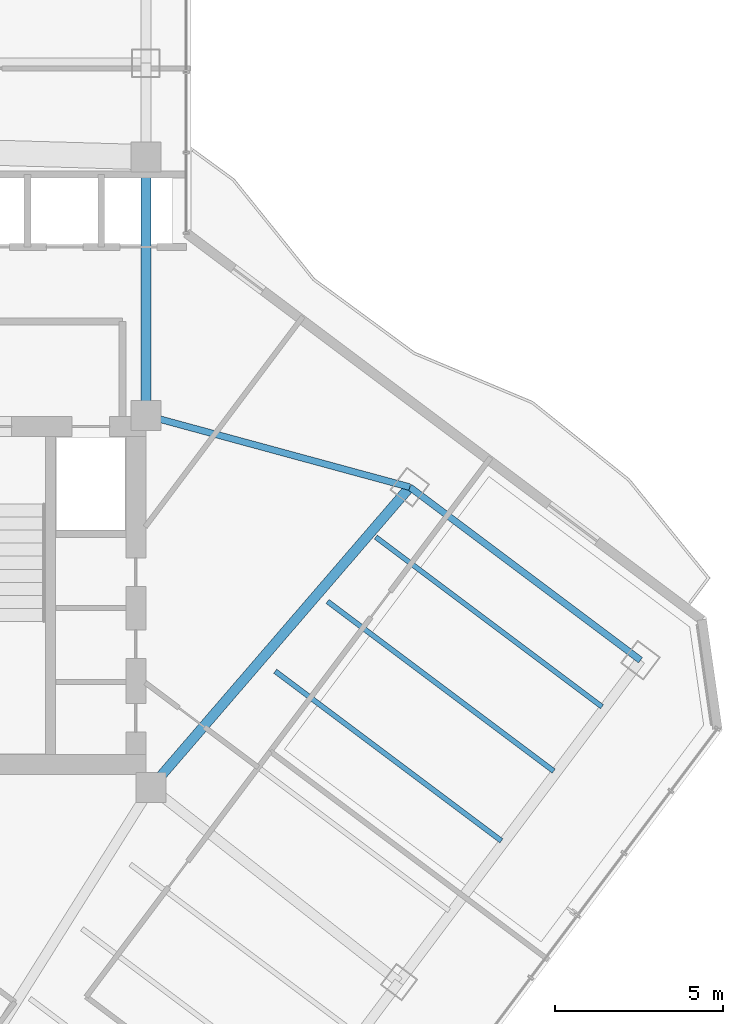
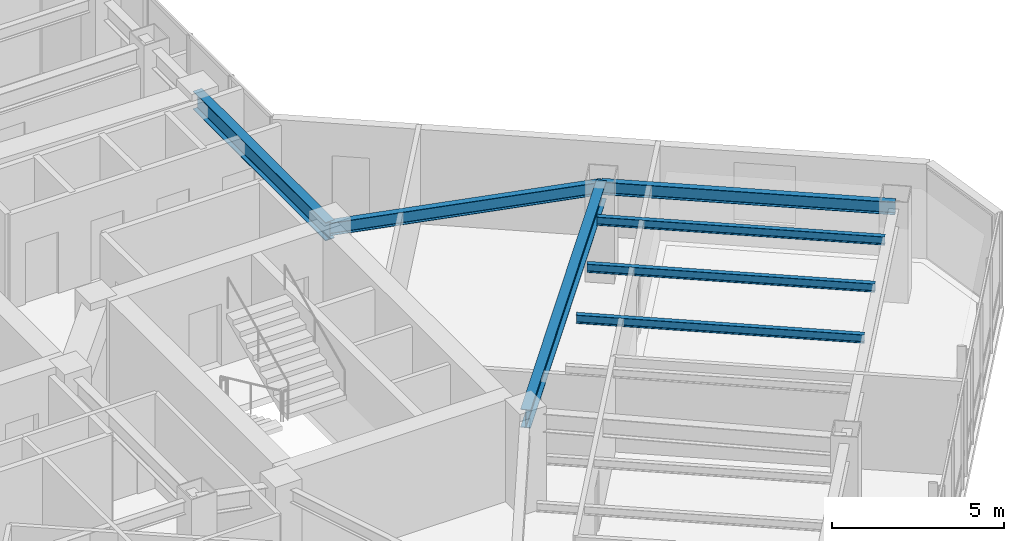
# One storey, part 14 of 28: 7 beams.
"""IFC4 building model written with IfcOpenShell, lengths in metres."""

from ifc_helpers import new_model, si_unit, direction, frame, origin, origin_2d, place, context, subcontext, project, spatial, i_section, extrude, material, material_profile, profile_set, type_object, element, save


model = new_model("IFC4")

# Units and contexts
model_context = context("Model", 3, precision=1e-05, world=origin(), true_north=direction((0.0, 1.0)))
body_context = subcontext(model_context, "Body", "Model", "MODEL_VIEW")
ifc_project = project(units=[si_unit("LENGTHUNIT", "METRE"), si_unit("AREAUNIT", "SQUARE_METRE"), si_unit("VOLUMEUNIT", "CUBIC_METRE"), si_unit("PLANEANGLEUNIT", "RADIAN"), si_unit("MASSUNIT", "GRAM", prefix="KILO")], contexts=[model_context])

# Site, building, storey
site_placement = place(None, origin())
site = spatial("IfcSite", under=ifc_project, at=site_placement, CompositionType="ELEMENT")
building_placement = place(site_placement, origin())
building = spatial("IfcBuilding", under=site, at=building_placement, Name="Hatsunagi Terrace Concourse", CompositionType="ELEMENT")
storey_placement = place(building_placement, frame((0.0, 0.0, 138.449951171875)))
storey = spatial("IfcBuildingStorey", under=building, at=storey_placement, Name="L36", CompositionType="ELEMENT", Elevation=138.449951171875)

# Beams
ifc_material_1 = material(Name="Steel SN490B", Category="steel")
ifc_material_profile_1 = material_profile(ifc_material_1, i_section(OverallWidth=0.14990234375, OverallDepth=0.300048828125, WebThickness=0.006591796875, FlangeThickness=0.009033203125, FilletRadius=0.010986328125, at=origin_2d()), Name="H-300x150x6.5x9")
ifc_profile_set_1 = profile_set([ifc_material_profile_1], Name="Steel SN490B")
beam_type_1 = type_object("IfcBeamType", Name="OfficeJoist_H_300x150", PredefinedType="JOIST", material=ifc_profile_set_1)
for number, where, z_axis, x_axis, name in (
    (1, (47.508056640625, 27.6689453125, 3.199951171875), (0.800003475366, -0.59999536615, 0.0), (0.59999536615, 0.800003475366, 0.0), "Beam J-03 J-L36-SE-2-168"),
    (2, (49.068115234375, 29.7490234375, 3.199951171875), (0.799989573921, -0.600013901187, 0.0), (0.600013901187, 0.799989573921, 0.0), "Beam J-03 J-L36-SE-2-194"),
    (3, (50.508056640625, 31.6689453125, 3.199951171875), (0.800003475366, -0.59999536615, 0.0), (0.59999536615, 0.800003475366, 0.0), "Beam J-03 J-L36-SE-2-218"),
):
    element("IfcBeam", number, at=place(storey_placement, frame(where, z_axis=z_axis, x_axis=x_axis)), inside=storey, type_object=beam_type_1, Name=name, PredefinedType="JOIST", context=body_context, shape_type="SweptSolid", body=[
        extrude(i_section(OverallWidth=0.14990234375, OverallDepth=0.300048828125, WebThickness=0.006591796875, FlangeThickness=0.009033203125, FilletRadius=0.010986328125, at=origin_2d()), origin(), (0.0, 0.0, 1.0), 8.429931640625),
    ])
ifc_material_2 = material(Name="Steel SN490B", Category="steel")
ifc_material_profile_2 = material_profile(ifc_material_2, i_section(OverallWidth=0.300048828125, OverallDepth=0.64990234375, WebThickness=0.012939453125, FlangeThickness=0.02197265625, FilletRadius=0.01806640625, at=origin_2d()), Name="H-650x300x13x22")
ifc_profile_set_2 = profile_set([ifc_material_profile_2], Name="Steel SN490B")
beam_type_2 = type_object("IfcBeamType", Name="OfficeLowGirder_H_650x300", PredefinedType="BEAM", material=ifc_profile_set_2)
beam_1_placement = place(storey_placement, frame((43.64990234375, 35.300048828125, 3.025146484375), z_axis=(0.0, 1.0, 0.0), x_axis=(-1.0, 0.0, 0.0)))
element("IfcBeam", 4, at=beam_1_placement, inside=storey, type_object=beam_type_2, Name="Beam G-05 BM-L36-CBK3", PredefinedType="BEAM", context=body_context, shape_type="SweptSolid", body=[
    extrude(i_section(OverallWidth=0.300048828125, OverallDepth=0.64990234375, WebThickness=0.012939453125, FlangeThickness=0.02197265625, FilletRadius=0.01806640625, at=origin_2d()), origin(), (0.0, 0.0, 1.0), 7.699951171875),
])
beam_2_placement = place(storey_placement, frame((43.800048828125, 24.199951171875, 3.025146484375), z_axis=(0.652739101421, 0.757582777969, 0.0), x_axis=(-0.757582777969, 0.652739101421, 0.0)))
element("IfcBeam", 5, at=beam_2_placement, inside=storey, type_object=beam_type_2, Name="Beam G-05 BM-L36-SET-1B", PredefinedType="BEAM", context=body_context, shape_type="SweptSolid", body=[
    extrude(i_section(OverallWidth=0.300048828125, OverallDepth=0.64990234375, WebThickness=0.012939453125, FlangeThickness=0.02197265625, FilletRadius=0.01806640625, at=origin_2d()), origin(), (0.0, 0.0, 1.0), 11.8271484375),
])
ifc_material_3 = material(Name="Steel SN490B", Category="steel")
ifc_material_profile_3 = material_profile(ifc_material_3, i_section(OverallWidth=0.199951171875, OverallDepth=0.449951171875, WebThickness=0.009033203125, FlangeThickness=0.013916015625, FilletRadius=0.01611328125, at=origin_2d()), Name="H-450x200x9x14")
ifc_profile_set_3 = profile_set([ifc_material_profile_3], Name="Steel SN490B")
beam_type_3 = type_object("IfcBeamType", Name="PerimeterSpandrel_H_450x200", PredefinedType="SPANDREL", material=ifc_profile_set_3)
beam_3_placement = place(storey_placement, frame((43.64990234375, 35.300048828125, 3.125), z_axis=(0.964958359286, -0.262403057994, 0.0), x_axis=(0.262403057994, 0.964958359286, 0.0)))
element("IfcBeam", 6, at=beam_3_placement, inside=storey, type_object=beam_type_3, Name="Beam SP-02 BM-L36-SE-NE0", PredefinedType="SPANDREL", context=body_context, shape_type="SweptSolid", body=[
    extrude(i_section(OverallWidth=0.199951171875, OverallDepth=0.449951171875, WebThickness=0.009033203125, FlangeThickness=0.013916015625, FilletRadius=0.01611328125, at=origin_2d()), origin(), (0.0, 0.0, 1.0), 8.156005859375),
])
beam_4_placement = place(storey_placement, frame((51.52001953125, 33.159912109375, 3.125), z_axis=(0.8, -0.6, 0.0), x_axis=(0.6, 0.8, 0.0)))
element("IfcBeam", 7, at=beam_4_placement, inside=storey, type_object=beam_type_3, Name="Beam SP-02 BM-L36-SE-NE2", PredefinedType="SPANDREL", context=body_context, shape_type="SweptSolid", body=[
    extrude(i_section(OverallWidth=0.199951171875, OverallDepth=0.449951171875, WebThickness=0.009033203125, FlangeThickness=0.013916015625, FilletRadius=0.01611328125, at=origin_2d()), origin(), (0.0, 0.0, 1.0), 8.599853515625),
])

save(model, "model.ifc")
